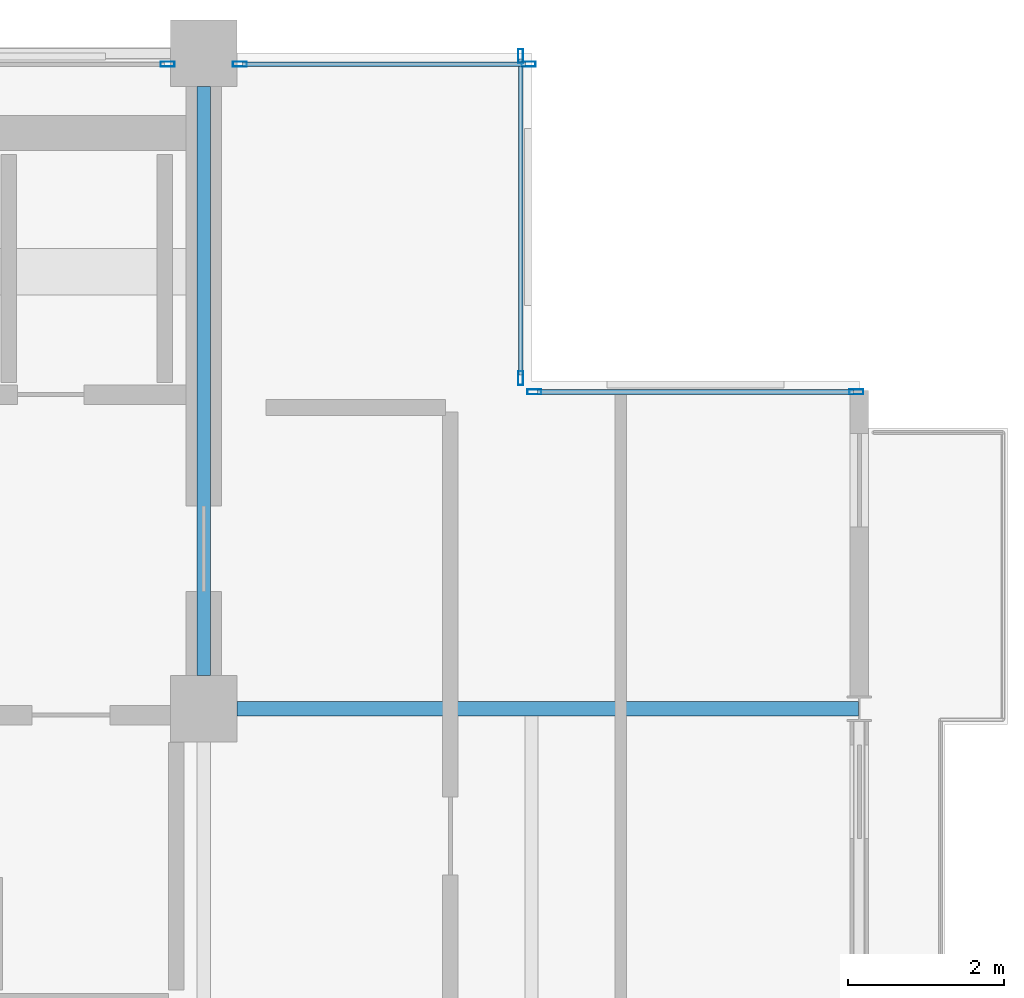
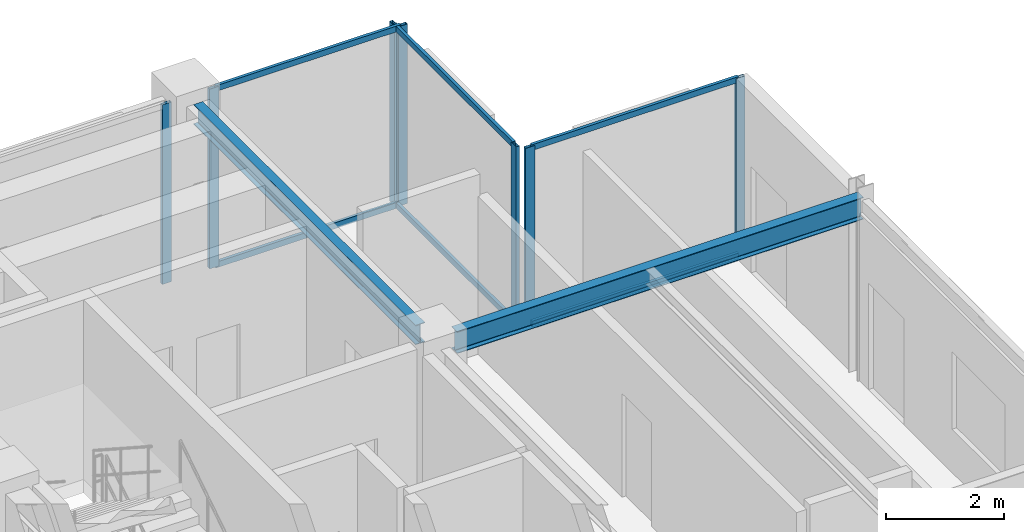
# One storey, part 18 of 24: 13 members, 2 beams, 4 elements without a shape of their own.
"""IFC4 building model written with IfcOpenShell, lengths in metres."""

from ifc_helpers import new_model, si_unit, direction, frame, origin, origin_2d, place, context, subcontext, project, spatial, hollow_rectangle, i_section, extrude, material, layer, layer_set, material_profile, profile_set, type_object, element, aggregate, save


model = new_model("IFC4")

# Units and contexts
model_context = context("Model", 3, precision=1e-05, world=origin(), true_north=direction((0.0, 1.0)))
body_context = subcontext(model_context, "Body", "Model", "MODEL_VIEW")
ifc_project = project(units=[si_unit("LENGTHUNIT", "METRE"), si_unit("AREAUNIT", "SQUARE_METRE"), si_unit("VOLUMEUNIT", "CUBIC_METRE"), si_unit("PLANEANGLEUNIT", "RADIAN"), si_unit("MASSUNIT", "GRAM", prefix="KILO")], contexts=[model_context])

# Site, building, storey
site_placement = place(None, origin())
site = spatial("IfcSite", under=ifc_project, at=site_placement, CompositionType="ELEMENT")
building_placement = place(site_placement, origin())
building = spatial("IfcBuilding", under=site, at=building_placement, Name="Nerrivon Quay Data Exchange", CompositionType="ELEMENT")
storey_placement = place(building_placement, frame((0.0, 0.0, 294.199951171875)))
storey = spatial("IfcBuildingStorey", under=building, at=storey_placement, Name="L70", CompositionType="ELEMENT", Elevation=294.199951171875)

# Beams
ifc_material_1 = material(Name="Steel Grade 350", Category="steel")
ifc_material_profile_1 = material_profile(ifc_material_1, i_section(OverallWidth=0.18994140625, OverallDepth=0.4541015625, WebThickness=0.008544921875, FlangeThickness=0.0126953125, FilletRadius=0.011474609375, at=origin_2d()), Name="460UB67.1")
ifc_profile_set_1 = profile_set([ifc_material_profile_1], Name="Steel Grade 350")
beam_type_1 = type_object("IfcBeamType", Name="BM-G6-460UB67", PredefinedType="BEAM", material=ifc_profile_set_1)
beam_1_placement = place(storey_placement, frame((17.22509765625, 33.60009765625, 3.498046875), z_axis=(1.0, 0.0, 0.0), x_axis=(0.0, 1.0, 0.0)))
element("IfcBeam", 1, at=beam_1_placement, inside=storey, type_object=beam_type_1, Name="L70 EW Girder Y=33.6 (16.8..25.2)", PredefinedType="BEAM", context=body_context, shape_type="SweptSolid", body=[
    extrude(i_section(OverallWidth=0.18994140625, OverallDepth=0.4541015625, WebThickness=0.008544921875, FlangeThickness=0.0126953125, FilletRadius=0.011474609375, at=origin_2d()), origin(), (0.0, 0.0, 1.0), 7.967041015625),
])
ifc_material_profile_2 = material_profile(ifc_material_1, i_section(OverallWidth=0.177978515625, OverallDepth=0.406005859375, WebThickness=0.0078125, FlangeThickness=0.0126953125, FilletRadius=0.011474609375, at=origin_2d()), Name="410UB59.7")
ifc_profile_set_2 = profile_set([ifc_material_profile_2], Name="Steel Grade 350")
beam_type_2 = type_object("IfcBeamType", Name="BM-J1-410UB60", PredefinedType="JOIST", material=ifc_profile_set_2)
beam_2_placement = place(storey_placement, frame((16.800048828125, 34.02490234375, 3.52197265625), z_axis=(0.0, 1.0, 0.0), x_axis=(-1.0, 0.0, 0.0)))
element("IfcBeam", 2, at=beam_2_placement, inside=storey, type_object=beam_type_2, Name="L70 NS Girder X=16.8 (33.6..42.0)", PredefinedType="JOIST", context=body_context, shape_type="SweptSolid", body=[
    extrude(i_section(OverallWidth=0.177978515625, OverallDepth=0.406005859375, WebThickness=0.0078125, FlangeThickness=0.0126953125, FilletRadius=0.011474609375, at=origin_2d()), origin(), (0.0, 0.0, 1.0), 7.550048828125),
])

# Curtain wall, member
ifc_material_2 = material(Name="Anodised aluminium 6063-T6", Category="aluminium")
ifc_layer = layer(ifc_material_2, 0.195068359375)
ifc_layer_set = layer_set([ifc_layer], Name="Anodised aluminium 6063-T6")
curtain_wall_type = type_object("IfcCurtainWallType", Name="CW-SYS-06", PredefinedType="NOTDEFINED", material=ifc_layer_set)
curtain_wall_1_placement = place(storey_placement, origin())
curtain_wall_1 = element("IfcCurtainWall", 3, at=curtain_wall_1_placement, inside=storey, type_object=curtain_wall_type, Name="L70 Unitised Curtain Wall 15", PredefinedType="NOTDEFINED")
ifc_material_profile_3 = material_profile(ifc_material_2, hollow_rectangle(XDim=0.06494140625, YDim=0.179931640625, WallThickness=0.00341796875, at=origin_2d()), Name="ALU-MULL-180x65")
ifc_profile_set_3 = profile_set([ifc_material_profile_3], Name="Anodised aluminium 6063-T6")
member_type_1 = type_object("IfcMemberType", Name="CWM-180x65", PredefinedType="MULLION", material=ifc_profile_set_3)
member_1_placement = place(storey_placement, frame((16.33740234375, 41.860107421875, 0.0), z_axis=(0.0, 0.0, 1.0), x_axis=(0.0, 1.0, 0.0)))
member_1 = element("IfcMember", 4, at=member_1_placement, type_object=member_type_1, Name="CW06 mullion 2", PredefinedType="MULLION", context=body_context, shape_type="SweptSolid", body=[
    extrude(hollow_rectangle(XDim=0.06494140625, YDim=0.179931640625, WallThickness=0.00341796875, at=origin_2d()), origin(), (0.0, 0.0, 1.0), 3.72509765625),
])
aggregate(curtain_wall_1, [member_1])

# Curtain wall, members
curtain_wall_2_placement = place(storey_placement, origin())
curtain_wall_2 = element("IfcCurtainWall", 5, at=curtain_wall_2_placement, inside=storey, type_object=curtain_wall_type, Name="L70 Unitised Curtain Wall 16", PredefinedType="NOTDEFINED")
member_2_placement = place(storey_placement, frame((17.262451171875, 41.860107421875, 0.0), z_axis=(0.0, 0.0, 1.0), x_axis=(0.0, 1.0, 0.0)))
member_2 = element("IfcMember", 6, at=member_2_placement, type_object=member_type_1, Name="CW06 mullion 1", PredefinedType="MULLION", context=body_context, shape_type="SweptSolid", body=[
    extrude(hollow_rectangle(XDim=0.06494140625, YDim=0.179931640625, WallThickness=0.00341796875, at=origin_2d()), origin(), (0.0, 0.0, 1.0), 3.72509765625),
])
member_3_placement = place(storey_placement, frame((20.96240234375, 41.860107421875, 0.0), z_axis=(0.0, 0.0, 1.0), x_axis=(0.0, 1.0, 0.0)))
member_3 = element("IfcMember", 7, at=member_3_placement, type_object=member_type_1, Name="CW06 mullion 2", PredefinedType="MULLION", context=body_context, shape_type="SweptSolid", body=[
    extrude(hollow_rectangle(XDim=0.06494140625, YDim=0.179931640625, WallThickness=0.00341796875, at=origin_2d()), origin(), (0.0, 0.0, 1.0), 3.72509765625),
])

curtain_wall_3_placement = place(storey_placement, origin())
curtain_wall_3 = element("IfcCurtainWall", 8, at=curtain_wall_3_placement, inside=storey, type_object=curtain_wall_type, Name="L70 Unitised Curtain Wall 17", PredefinedType="NOTDEFINED")
member_4_placement = place(storey_placement, frame((20.860107421875, 41.96240234375, 0.0), z_axis=(0.0, 0.0, 1.0), x_axis=(1.0, 0.0, 0.0)))
member_4 = element("IfcMember", 9, at=member_4_placement, type_object=member_type_1, Name="CW06 mullion 1", PredefinedType="MULLION", context=body_context, shape_type="SweptSolid", body=[
    extrude(hollow_rectangle(XDim=0.06494140625, YDim=0.179931640625, WallThickness=0.00341796875, at=origin_2d()), origin(), (0.0, 0.0, 1.0), 3.72509765625),
])
member_5_placement = place(storey_placement, frame((20.860107421875, 37.83740234375, 0.0), z_axis=(0.0, 0.0, 1.0), x_axis=(1.0, 0.0, 0.0)))
member_5 = element("IfcMember", 10, at=member_5_placement, type_object=member_type_1, Name="CW06 mullion 2", PredefinedType="MULLION", context=body_context, shape_type="SweptSolid", body=[
    extrude(hollow_rectangle(XDim=0.06494140625, YDim=0.179931640625, WallThickness=0.00341796875, at=origin_2d()), origin(), (0.0, 0.0, 1.0), 3.72509765625),
])

curtain_wall_4_placement = place(storey_placement, origin())
curtain_wall_4 = element("IfcCurtainWall", 11, at=curtain_wall_4_placement, inside=storey, type_object=curtain_wall_type, Name="L70 Unitised Curtain Wall 18", PredefinedType="NOTDEFINED")
member_6_placement = place(storey_placement, frame((21.03759765625, 37.659912109375, 0.0), z_axis=(0.0, 0.0, 1.0), x_axis=(0.0, 1.0, 0.0)))
member_6 = element("IfcMember", 12, at=member_6_placement, type_object=member_type_1, Name="CW06 mullion 1", PredefinedType="MULLION", context=body_context, shape_type="SweptSolid", body=[
    extrude(hollow_rectangle(XDim=0.06494140625, YDim=0.179931640625, WallThickness=0.00341796875, at=origin_2d()), origin(), (0.0, 0.0, 1.0), 3.72509765625),
])
member_7_placement = place(storey_placement, frame((25.16259765625, 37.659912109375, 0.0), z_axis=(0.0, 0.0, 1.0), x_axis=(0.0, 1.0, 0.0)))
member_7 = element("IfcMember", 13, at=member_7_placement, type_object=member_type_1, Name="CW06 mullion 2", PredefinedType="MULLION", context=body_context, shape_type="SweptSolid", body=[
    extrude(hollow_rectangle(XDim=0.06494140625, YDim=0.179931640625, WallThickness=0.00341796875, at=origin_2d()), origin(), (0.0, 0.0, 1.0), 3.72509765625),
])

# Member
ifc_material_profile_4 = material_profile(ifc_material_2, hollow_rectangle(XDim=0.06005859375, YDim=0.1201171875, WallThickness=0.003173828125, at=origin_2d()), Name="ALU-TRAN-120x60")
ifc_profile_set_4 = profile_set([ifc_material_profile_4], Name="Anodised aluminium 6063-T6")
member_type_2 = type_object("IfcMemberType", Name="CWT-120x60", PredefinedType="USERDEFINED", material=ifc_profile_set_4)
member_8_placement = place(storey_placement, frame((17.300048828125, 41.860107421875, 0.032470703125), z_axis=(1.0, 0.0, 0.0), x_axis=(0.0, 1.0, 0.0)))
member_8 = element("IfcMember", 14, at=member_8_placement, type_object=member_type_2, Name="CW06 transom 1.1", ObjectType="TRANSOM", PredefinedType="USERDEFINED", context=body_context, shape_type="SweptSolid", body=[
    extrude(hollow_rectangle(XDim=0.06005859375, YDim=0.1201171875, WallThickness=0.003173828125, at=origin_2d()), origin(), (0.0, 0.0, 1.0), 3.625),
])

member_9_placement = place(storey_placement, frame((17.300048828125, 41.860107421875, 3.692626953125), z_axis=(1.0, 0.0, 0.0), x_axis=(0.0, 1.0, 0.0)))
member_9 = element("IfcMember", 15, at=member_9_placement, type_object=member_type_2, Name="CW06 transom 1.2", ObjectType="TRANSOM", PredefinedType="USERDEFINED", context=body_context, shape_type="SweptSolid", body=[
    extrude(hollow_rectangle(XDim=0.06005859375, YDim=0.1201171875, WallThickness=0.003173828125, at=origin_2d()), origin(), (0.0, 0.0, 1.0), 3.625),
])

aggregate(curtain_wall_2, [member_2, member_3, member_8, member_9])

member_10_placement = place(storey_placement, frame((20.860107421875, 41.925048828125, 0.032470703125), z_axis=(0.0, -1.0, 0.0), x_axis=(1.0, 0.0, 0.0)))
member_10 = element("IfcMember", 16, at=member_10_placement, type_object=member_type_2, Name="CW06 transom 1.1", ObjectType="TRANSOM", PredefinedType="USERDEFINED", context=body_context, shape_type="SweptSolid", body=[
    extrude(hollow_rectangle(XDim=0.06005859375, YDim=0.1201171875, WallThickness=0.003173828125, at=origin_2d()), origin(), (0.0, 0.0, 1.0), 4.050048828125),
])

member_11_placement = place(storey_placement, frame((20.860107421875, 41.925048828125, 3.692626953125), z_axis=(0.0, -1.0, 0.0), x_axis=(1.0, 0.0, 0.0)))
member_11 = element("IfcMember", 17, at=member_11_placement, type_object=member_type_2, Name="CW06 transom 1.2", ObjectType="TRANSOM", PredefinedType="USERDEFINED", context=body_context, shape_type="SweptSolid", body=[
    extrude(hollow_rectangle(XDim=0.06005859375, YDim=0.1201171875, WallThickness=0.003173828125, at=origin_2d()), origin(), (0.0, 0.0, 1.0), 4.050048828125),
])

aggregate(curtain_wall_3, [member_4, member_5, member_10, member_11])

member_12_placement = place(storey_placement, frame((21.074951171875, 37.659912109375, 0.032470703125), z_axis=(1.0, 0.0, 0.0), x_axis=(0.0, 1.0, 0.0)))
member_12 = element("IfcMember", 18, at=member_12_placement, type_object=member_type_2, Name="CW06 transom 1.1", ObjectType="TRANSOM", PredefinedType="USERDEFINED", context=body_context, shape_type="SweptSolid", body=[
    extrude(hollow_rectangle(XDim=0.06005859375, YDim=0.1201171875, WallThickness=0.003173828125, at=origin_2d()), origin(), (0.0, 0.0, 1.0), 4.050048828125),
])

member_13_placement = place(storey_placement, frame((21.074951171875, 37.659912109375, 3.692626953125), z_axis=(1.0, 0.0, 0.0), x_axis=(0.0, 1.0, 0.0)))
member_13 = element("IfcMember", 19, at=member_13_placement, type_object=member_type_2, Name="CW06 transom 1.2", ObjectType="TRANSOM", PredefinedType="USERDEFINED", context=body_context, shape_type="SweptSolid", body=[
    extrude(hollow_rectangle(XDim=0.06005859375, YDim=0.1201171875, WallThickness=0.003173828125, at=origin_2d()), origin(), (0.0, 0.0, 1.0), 4.050048828125),
])

aggregate(curtain_wall_4, [member_6, member_7, member_12, member_13])

save(model, "model.ifc")
